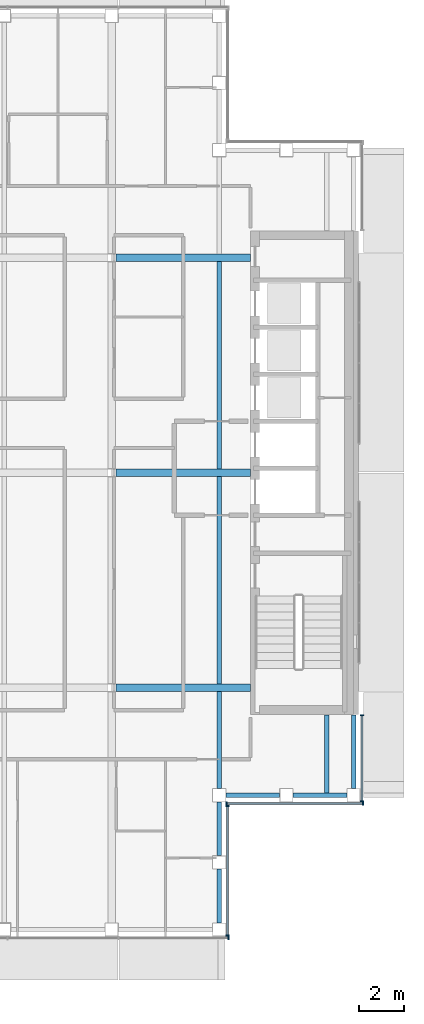
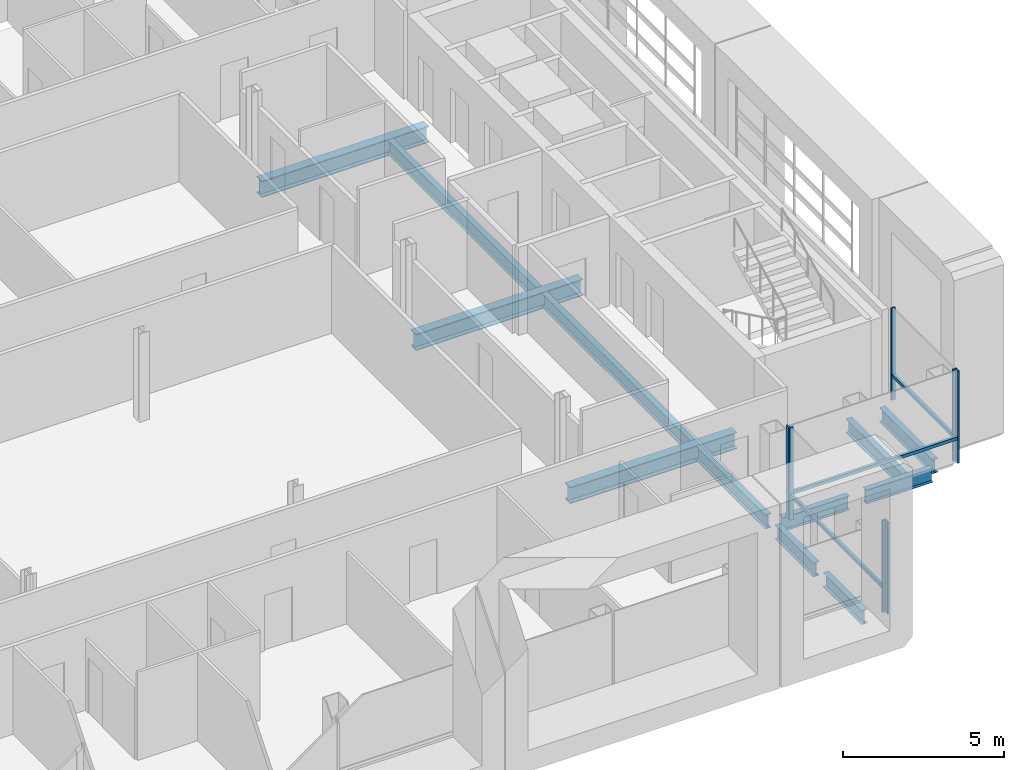
# One storey, part 5 of 21: 12 beams, 10 members, 4 elements without a shape of their own.
"""IFC4 building model written with IfcOpenShell, lengths in metres."""

from ifc_helpers import new_model, si_unit, direction, frame, origin, origin_2d, place, context, subcontext, project, spatial, rectangle, i_section, extrude, material, material_profile, profile_set, type_object, element, aggregate, save


model = new_model("IFC4")

# Units and contexts
model_context = context("Model", 3, precision=1e-05, world=origin(), true_north=direction((0.0, 1.0)))
body_context = subcontext(model_context, "Body", "Model", "MODEL_VIEW")
ifc_project = project(units=[si_unit("LENGTHUNIT", "METRE"), si_unit("AREAUNIT", "SQUARE_METRE"), si_unit("VOLUMEUNIT", "CUBIC_METRE"), si_unit("PLANEANGLEUNIT", "RADIAN"), si_unit("MASSUNIT", "GRAM", prefix="KILO")], contexts=[model_context])

# Site, building, storey
site_placement = place(None, origin())
site = spatial("IfcSite", under=ifc_project, at=site_placement, CompositionType="ELEMENT")
building_placement = place(site_placement, origin())
building = spatial("IfcBuilding", under=site, at=building_placement, Name="Cobrizo Arcos Hotel Tower", CompositionType="ELEMENT")
storey_placement = place(building_placement, frame((0.0, 0.0, 248.0)))
storey = spatial("IfcBuildingStorey", under=building, at=storey_placement, Name="L65", CompositionType="ELEMENT", Elevation=248.0)

# Curtain wall, member
ifc_material_1 = material(Name="Aluminium 6063-T6 anodised bronze", Category="aluminium")
curtain_wall_type = type_object("IfcCurtainWallType", Name="CW-A guest facade", PredefinedType="NOTDEFINED", material=ifc_material_1)
curtain_wall_1_placement = place(storey_placement, origin())
curtain_wall_1 = element("IfcCurtainWall", 1, at=curtain_wall_1_placement, inside=storey, type_object=curtain_wall_type, Name="CW-A L65 S face", PredefinedType="NOTDEFINED")
ifc_material_profile_1 = material_profile(ifc_material_1, rectangle(XDim=0.14990234375, YDim=0.06005859375, at=origin_2d()), Name="CW-A mullion 150x60")
ifc_profile_set_1 = profile_set([ifc_material_profile_1], Name="Aluminium 6063-T6 anodised bronze")
member_type_1 = type_object("IfcMemberType", Name="CW-A mullion 150x60", PredefinedType="MULLION", material=ifc_profile_set_1)
member_1_placement = place(storey_placement, frame((14.820068359375, -20.77490234375, 0.0), z_axis=(0.0, 0.0, 1.0), x_axis=(0.0, -1.0, 0.0)))
member_1 = element("IfcMember", 2, at=member_1_placement, type_object=member_type_1, Name="CW-A mullion 7", PredefinedType="MULLION", context=body_context, shape_type="SweptSolid", body=[
    extrude(rectangle(XDim=0.14990234375, YDim=0.06005859375, at=origin_2d()), origin(), (0.0, 0.0, 1.0), 3.5),
])
aggregate(curtain_wall_1, [member_1])

# Curtain wall, members
curtain_wall_2_placement = place(storey_placement, origin())
curtain_wall_2 = element("IfcCurtainWall", 3, at=curtain_wall_2_placement, inside=storey, type_object=curtain_wall_type, Name="CW-A L65 E face", PredefinedType="NOTDEFINED")
member_2_placement = place(storey_placement, frame((14.77490234375, -20.669921875, 0.0), z_axis=(0.0, 0.0, 1.0), x_axis=(1.0, 0.0, 0.0)))
member_2 = element("IfcMember", 4, at=member_2_placement, type_object=member_type_1, Name="CW-A mullion 1", PredefinedType="MULLION", context=body_context, shape_type="SweptSolid", body=[
    extrude(rectangle(XDim=0.14990234375, YDim=0.06005859375, at=origin_2d()), origin(), (0.0, 0.0, 1.0), 3.5),
])
member_3_placement = place(storey_placement, frame((14.77490234375, -14.8798828125, 0.0), z_axis=(0.0, 0.0, 1.0), x_axis=(1.0, 0.0, 0.0)))
member_3 = element("IfcMember", 5, at=member_3_placement, type_object=member_type_1, Name="CW-A mullion 2", PredefinedType="MULLION", context=body_context, shape_type="SweptSolid", body=[
    extrude(rectangle(XDim=0.14990234375, YDim=0.06005859375, at=origin_2d()), origin(), (0.0, 0.0, 1.0), 3.5),
])

curtain_wall_3_placement = place(storey_placement, origin())
curtain_wall_3 = element("IfcCurtainWall", 6, at=curtain_wall_3_placement, inside=storey, type_object=curtain_wall_type, Name="CW-A L65 S face", PredefinedType="NOTDEFINED")
member_4_placement = place(storey_placement, frame((14.72998046875, -14.77490234375, 0.0), z_axis=(0.0, 0.0, 1.0), x_axis=(0.0, -1.0, 0.0)))
member_4 = element("IfcMember", 7, at=member_4_placement, type_object=member_type_1, Name="CW-A mullion 1", PredefinedType="MULLION", context=body_context, shape_type="SweptSolid", body=[
    extrude(rectangle(XDim=0.14990234375, YDim=0.06005859375, at=origin_2d()), origin(), (0.0, 0.0, 1.0), 3.5),
])
member_5_placement = place(storey_placement, frame((20.820068359375, -14.77490234375, 0.0), z_axis=(0.0, 0.0, 1.0), x_axis=(0.0, -1.0, 0.0)))
member_5 = element("IfcMember", 8, at=member_5_placement, type_object=member_type_1, Name="CW-A mullion 2", PredefinedType="MULLION", context=body_context, shape_type="SweptSolid", body=[
    extrude(rectangle(XDim=0.14990234375, YDim=0.06005859375, at=origin_2d()), origin(), (0.0, 0.0, 1.0), 3.5),
])

curtain_wall_4_placement = place(storey_placement, origin())
curtain_wall_4 = element("IfcCurtainWall", 9, at=curtain_wall_4_placement, inside=storey, type_object=curtain_wall_type, Name="CW-A L65 E face", PredefinedType="NOTDEFINED")
member_6_placement = place(storey_placement, frame((20.77490234375, -14.669921875, 0.0), z_axis=(0.0, 0.0, 1.0), x_axis=(1.0, 0.0, 0.0)))
member_6 = element("IfcMember", 10, at=member_6_placement, type_object=member_type_1, Name="CW-A mullion 1", PredefinedType="MULLION", context=body_context, shape_type="SweptSolid", body=[
    extrude(rectangle(XDim=0.14990234375, YDim=0.06005859375, at=origin_2d()), origin(), (0.0, 0.0, 1.0), 3.5),
])
member_7_placement = place(storey_placement, frame((20.77490234375, -10.830078125, 0.0), z_axis=(0.0, 0.0, 1.0), x_axis=(1.0, 0.0, 0.0)))
member_7 = element("IfcMember", 11, at=member_7_placement, type_object=member_type_1, Name="CW-A mullion 2", PredefinedType="MULLION", context=body_context, shape_type="SweptSolid", body=[
    extrude(rectangle(XDim=0.14990234375, YDim=0.06005859375, at=origin_2d()), origin(), (0.0, 0.0, 1.0), 3.5),
])

# Member
ifc_material_profile_2 = material_profile(ifc_material_1, rectangle(XDim=0.10009765625, YDim=0.1201171875, at=origin_2d()), Name="CW-A transom 120x100")
ifc_profile_set_2 = profile_set([ifc_material_profile_2], Name="Aluminium 6063-T6 anodised bronze")
member_type_2 = type_object("IfcMemberType", Name="CW-A transom 120x100", PredefinedType="USERDEFINED", material=ifc_profile_set_2)
member_8_placement = place(storey_placement, frame((14.77490234375, -20.639892578125, 0.929931640625), z_axis=(0.0, 1.0, 0.0), x_axis=(-1.0, 0.0, 0.0)))
member_8 = element("IfcMember", 12, at=member_8_placement, type_object=member_type_2, Name="CW-A transom 2066", ObjectType="TRANSOM", PredefinedType="USERDEFINED", context=body_context, shape_type="SweptSolid", body=[
    extrude(rectangle(XDim=0.10009765625, YDim=0.1201171875, at=origin_2d()), origin(), (0.0, 0.0, 1.0), 5.72998046875),
])

aggregate(curtain_wall_2, [member_2, member_3, member_8])

member_9_placement = place(storey_placement, frame((14.760009765625, -14.77490234375, 0.929931640625), z_axis=(1.0, 0.0, 0.0), x_axis=(0.0, 1.0, 0.0)))
member_9 = element("IfcMember", 13, at=member_9_placement, type_object=member_type_2, Name="CW-A transom 2067", ObjectType="TRANSOM", PredefinedType="USERDEFINED", context=body_context, shape_type="SweptSolid", body=[
    extrude(rectangle(XDim=0.10009765625, YDim=0.1201171875, at=origin_2d()), origin(), (0.0, 0.0, 1.0), 6.030029296875),
])

aggregate(curtain_wall_3, [member_4, member_5, member_9])

member_10_placement = place(storey_placement, frame((20.77490234375, -14.639892578125, 0.929931640625), z_axis=(0.0, 1.0, 0.0), x_axis=(-1.0, 0.0, 0.0)))
member_10 = element("IfcMember", 14, at=member_10_placement, type_object=member_type_2, Name="CW-A transom 2068", ObjectType="TRANSOM", PredefinedType="USERDEFINED", context=body_context, shape_type="SweptSolid", body=[
    extrude(rectangle(XDim=0.10009765625, YDim=0.1201171875, at=origin_2d()), origin(), (0.0, 0.0, 1.0), 3.77978515625),
])

aggregate(curtain_wall_4, [member_6, member_7, member_10])

# Beams
ifc_material_2 = material(Name="Steel ASTM A992 Grade 50", Category="steel")
ifc_material_profile_3 = material_profile(ifc_material_2, i_section(OverallWidth=0.209228515625, OverallDepth=0.533447265625, WebThickness=0.01025390625, FlangeThickness=0.015625, at=origin_2d()), Name="W21X62")
ifc_profile_set_3 = profile_set([ifc_material_profile_3], Name="Steel ASTM A992 Grade 50")
beam_type_1 = type_object("IfcBeamType", Name="W21X62 joist", PredefinedType="JOIST", material=ifc_profile_set_3)
beam_1_placement = place(storey_placement, frame((14.39990234375, -14.10009765625, -0.416748046875), z_axis=(0.0, 1.0, 0.0), x_axis=(-1.0, 0.0, 0.0)))
element("IfcBeam", 15, at=beam_1_placement, inside=storey, type_object=beam_type_1, Name="Floor joist J1, L65, no. 015", PredefinedType="JOIST", context=body_context, shape_type="SweptSolid", body=[
    extrude(i_section(OverallWidth=0.209228515625, OverallDepth=0.533447265625, WebThickness=0.01025390625, FlangeThickness=0.015625, at=origin_2d()), origin(), (0.0, 0.0, 1.0), 4.336181640625),
])
for number, where, z_axis, x_axis, name in (
    (16, (14.39990234375, -9.43603515625, -0.416748046875), (0.0, 1.0, 0.0), (-1.0, 0.0, 0.0), "Floor joist J1, L65, no. 016"),
    (17, (14.39990234375, 0.163818359375, -0.416748046875), (0.0, 1.0, 0.0), (-1.0, 0.0, 0.0), "Floor joist J1, L65, no. 017"),
):
    element("IfcBeam", number, at=place(storey_placement, frame(where, z_axis=z_axis, x_axis=x_axis)), inside=storey, type_object=beam_type_1, Name=name, PredefinedType="JOIST", context=body_context, shape_type="SweptSolid", body=[
        extrude(i_section(OverallWidth=0.209228515625, OverallDepth=0.533447265625, WebThickness=0.01025390625, FlangeThickness=0.015625, at=origin_2d()), origin(), (0.0, 0.0, 1.0), 9.272216796875),
    ])
beam_2_placement = place(storey_placement, frame((19.199951171875, -14.31005859375, -0.416748046875), z_axis=(0.0, 1.0, 0.0), x_axis=(-1.0, 0.0, 0.0)))
element("IfcBeam", 18, at=beam_2_placement, inside=storey, type_object=beam_type_1, Name="Floor joist J1, L65, no. 019", PredefinedType="JOIST", context=body_context, shape_type="SweptSolid", body=[
    extrude(i_section(OverallWidth=0.209228515625, OverallDepth=0.533447265625, WebThickness=0.01025390625, FlangeThickness=0.015625, at=origin_2d()), origin(), (0.0, 0.0, 1.0), 3.5),
])
ifc_material_profile_4 = material_profile(ifc_material_2, i_section(OverallWidth=0.209228515625, OverallDepth=0.533447265625, WebThickness=0.01025390625, FlangeThickness=0.015625, at=origin_2d()), Name="W21X62")
ifc_profile_set_4 = profile_set([ifc_material_profile_4], Name="Steel ASTM A992 Grade 50")
beam_type_2 = type_object("IfcBeamType", Name="W21X62 spandrel", PredefinedType="SPANDREL", material=ifc_profile_set_4)
for number, where, z_axis, x_axis, name in (
    (19, (14.39990234375, -20.10009765625, -0.416748046875), (0.0, 1.0, 0.0), (-1.0, 0.0, 0.0), "Spandrel beam W21X62, L65, no. 007"),
    (20, (14.39990234375, -17.10009765625, -0.416748046875), (0.0, 1.0, 0.0), (-1.0, 0.0, 0.0), "Spandrel beam W21X62, L65, no. 008"),
    (21, (14.699951171875, -14.39990234375, -0.416748046875), (1.0, 0.0, 0.0), (0.0, 1.0, 0.0), "Spandrel beam W21X62, L65, no. 009"),
    (22, (17.699951171875, -14.39990234375, -0.416748046875), (1.0, 0.0, 0.0), (0.0, 1.0, 0.0), "Spandrel beam W21X62, L65, no. 010"),
):
    element("IfcBeam", number, at=place(storey_placement, frame(where, z_axis=z_axis, x_axis=x_axis)), inside=storey, type_object=beam_type_2, Name=name, PredefinedType="SPANDREL", context=body_context, shape_type="SweptSolid", body=[
        extrude(i_section(OverallWidth=0.209228515625, OverallDepth=0.533447265625, WebThickness=0.01025390625, FlangeThickness=0.015625, at=origin_2d()), origin(), (0.0, 0.0, 1.0), 2.400146484375),
    ])
beam_3_placement = place(storey_placement, frame((20.39990234375, -14.10009765625, -0.416748046875), z_axis=(0.0, 1.0, 0.0), x_axis=(-1.0, 0.0, 0.0)))
element("IfcBeam", 23, at=beam_3_placement, inside=storey, type_object=beam_type_2, Name="Spandrel beam W21X62, L65, no. 011", PredefinedType="SPANDREL", context=body_context, shape_type="SweptSolid", body=[
    extrude(i_section(OverallWidth=0.209228515625, OverallDepth=0.533447265625, WebThickness=0.01025390625, FlangeThickness=0.015625, at=origin_2d()), origin(), (0.0, 0.0, 1.0), 3.2900390625),
])
ifc_material_profile_5 = material_profile(ifc_material_2, i_section(OverallWidth=0.32763671875, OverallDepth=0.622314453125, WebThickness=0.015380859375, FlangeThickness=0.0244140625, at=origin_2d()), Name="W24X131")
ifc_profile_set_5 = profile_set([ifc_material_profile_5], Name="Steel ASTM A992 Grade 50")
beam_type_3 = type_object("IfcBeamType", Name="W24X131 girder", PredefinedType="BEAM", material=ifc_profile_set_5)
for number, where, z_axis, x_axis, name in (
    (24, (9.7841796875, -9.60009765625, -0.461181640625), (1.0, 0.0, 0.0), (0.0, 1.0, 0.0), "Floor girder G1, L65, no. 004"),
    (25, (9.7841796875, 0.0, -0.461181640625), (1.0, 0.0, 0.0), (0.0, 1.0, 0.0), "Floor girder G1, L65, no. 008"),
    (26, (9.7841796875, 9.60009765625, -0.461181640625), (1.0, 0.0, 0.0), (0.0, 1.0, 0.0), "Floor girder G1, L65, no. 012"),
):
    element("IfcBeam", number, at=place(storey_placement, frame(where, z_axis=z_axis, x_axis=x_axis)), inside=storey, type_object=beam_type_3, Name=name, PredefinedType="BEAM", context=body_context, shape_type="SweptSolid", body=[
        extrude(i_section(OverallWidth=0.32763671875, OverallDepth=0.622314453125, WebThickness=0.015380859375, FlangeThickness=0.0244140625, at=origin_2d()), origin(), (0.0, 0.0, 1.0), 6.005859375),
    ])

save(model, "model.ifc")
